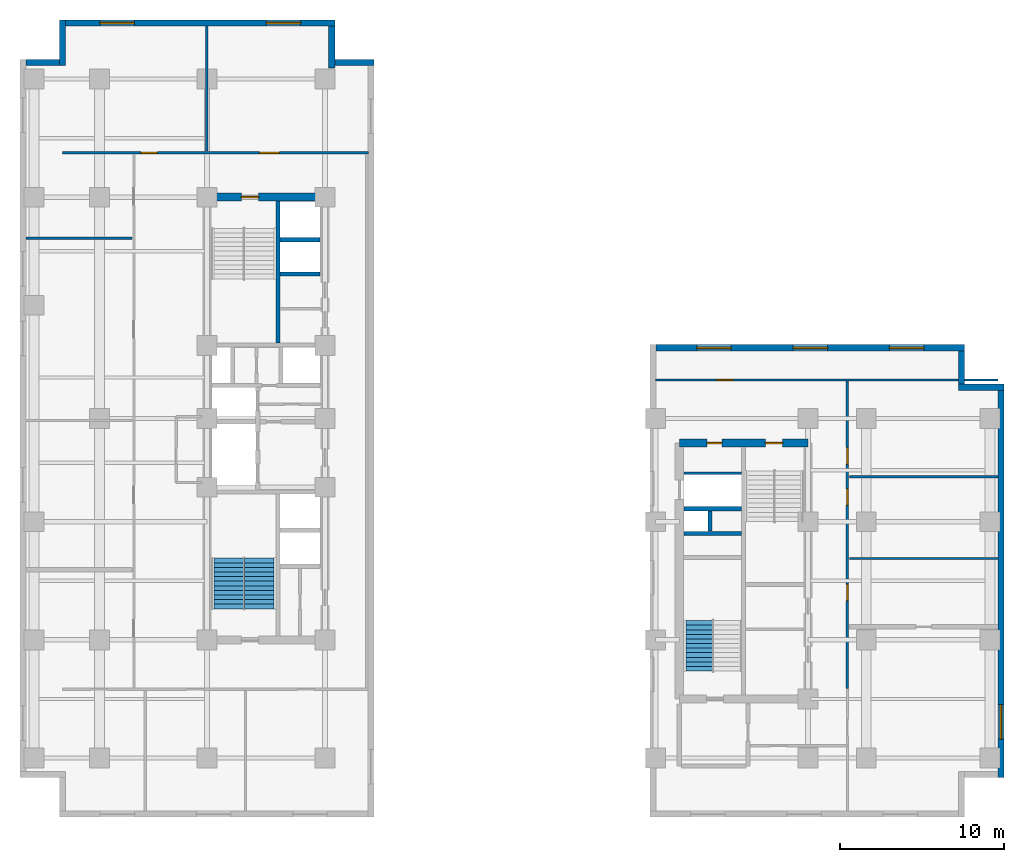
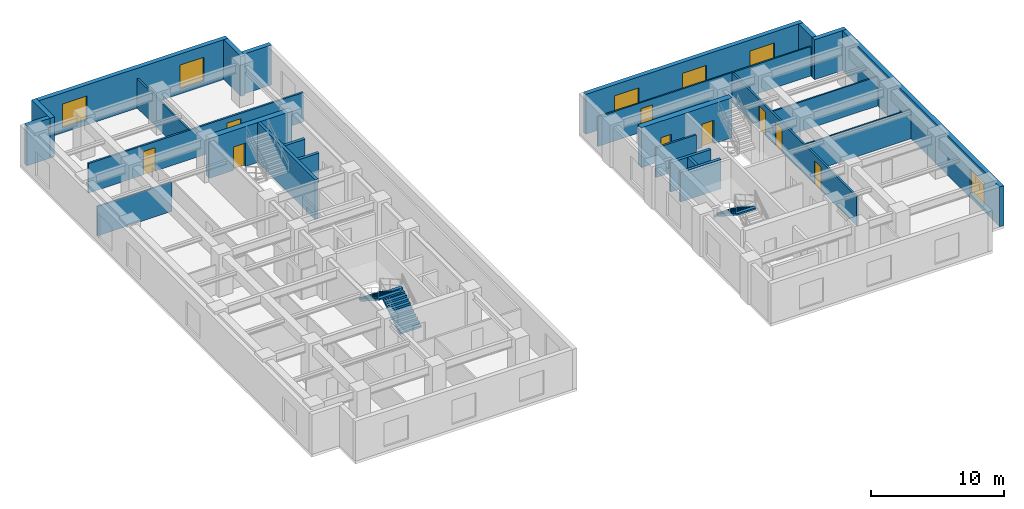
# One storey, part 5 of 9: 25 walls, 9 doors, 6 windows, 3 stair flights, 15 openings, 2 elements without a shape of their own.
"""IFC4 building model written with IfcOpenShell, lengths in metres."""

from ifc_helpers import new_model, entity, si_unit, converted_unit, direction, frame, origin_with_axes, origin_2d_with_axis, place, context, subcontext, project, spatial, polyline, rectangle, outline, extrude, material, layer, layer_set, type_object, element, fill, aggregate, save


model = new_model("IFC4")

# Units and contexts
model_context = context("Model", 3, precision=1e-05, world=origin_with_axes(), true_north=direction((0.0, 1.0)))
body_context = subcontext(model_context, "Body", "Model", "MODEL_VIEW")
ifc_project = project(units=[si_unit("LENGTHUNIT", "METRE"), si_unit("AREAUNIT", "SQUARE_METRE"), si_unit("VOLUMEUNIT", "CUBIC_METRE"), converted_unit("PLANEANGLEUNIT", "DEGREE", entity("IfcPlaneAngleMeasure", 0.017453292519943295), si_unit("PLANEANGLEUNIT", "RADIAN"), dimensions=[0, 0, 0, 0, 0, 0, 0]), si_unit("MASSUNIT", "GRAM", prefix="KILO"), si_unit("THERMODYNAMICTEMPERATUREUNIT", "KELVIN")], contexts=[model_context])

# Site, building, storey
site_placement = place(None, origin_with_axes())
site = spatial("IfcSite", under=ifc_project, at=site_placement, CompositionType="ELEMENT")
building_placement = place(site_placement, origin_with_axes())
building = spatial("IfcBuilding", under=site, at=building_placement, Name="Varnlund Millrace Tower", CompositionType="ELEMENT")
storey_placement = place(building_placement, frame((0.0, 0.0, 96.9), z_axis=(0.0, 0.0, 1.0), x_axis=(1.0, 0.0, 0.0)))
storey = spatial("IfcBuildingStorey", under=building, at=storey_placement, Name="L23", CompositionType="ELEMENT", Elevation=96.9)

# Wall, opening, door
ifc_material_1 = material(Name="Concrete C70/85", Category="concrete")
ifc_layer_1 = layer(ifc_material_1, 0.5, Name="Concrete C70/85")
ifc_layer_set_1 = layer_set([ifc_layer_1], Name="Concrete C70/85")
wall_type_1 = type_object("IfcWallType", Name="Type-CoreWall-Shear-500-C70", PredefinedType="SHEAR", material=ifc_layer_set_1)
wall_1_placement = place(storey_placement, frame((11.4, 37.8, 0.0), z_axis=(0.0, 0.0, 1.0), x_axis=(1.0, 0.0, 0.0)))
wall_1 = element("IfcWall", 1, at=wall_1_placement, inside=storey, type_object=wall_type_1, Name="Type-CoreWall-Shear-500-C70", PredefinedType="SHEAR", context=body_context, shape_type="SweptSolid", body=[
    extrude(outline(polyline([(0.0, -0.25), (7.2, -0.25), (7.2, 0.25), (0.0, 0.25), (0.0, -0.25)])), origin_with_axes(), (0.0, 0.0, 1.0), 3.66),
])
opening_1_placement = place(wall_1_placement, frame((2.625, 0.0, 0.0), z_axis=(0.0, 0.0, 1.0), x_axis=(1.0, 0.0, 0.0)))
opening_1 = element("IfcOpeningElement", 2, at=opening_1_placement, cuts=wall_1, Name="Opening L23:DR-STA2", PredefinedType="OPENING", context=body_context, shape_type="SweptSolid", body=[
    extrude(rectangle(XDim=1.05, YDim=0.52, at=origin_2d_with_axis()), origin_with_axes(), (0.0, 0.0, 1.0), 2.15),
])
ifc_material_2 = material(Name="Fire-rated hollow steel door", Category="steel")
door_type_1 = type_object("IfcDoorType", Name="Type-FireDoor-Stair-1050X2150", OperationType="NOTDEFINED", PredefinedType="DOOR", material=ifc_material_2)
door_1_placement = place(wall_1_placement, frame((2.625, 0.0, 0.0), z_axis=(0.0, 0.0, 1.0), x_axis=(1.0, 0.0, 0.0)))
door_1 = element("IfcDoor", 3, at=door_1_placement, inside=storey, type_object=door_type_1, Name="Type-FireDoor-Stair-1050X2150", OperationType="SINGLE_SWING_RIGHT", OverallHeight=2.15, OverallWidth=1.05, PredefinedType="DOOR", context=body_context, shape_type="SweptSolid", body=[
    extrude(rectangle(XDim=1.05, YDim=0.09, at=origin_2d_with_axis()), origin_with_axes(), (0.0, 0.0, 1.0), 2.15),
])
fill(opening_1, door_1)

# Wall, openings, doors
wall_2_placement = place(storey_placement, frame((40.2, 22.8, 0.0), z_axis=(0.0, 0.0, 1.0), x_axis=(1.0, 0.0, 0.0)))
wall_2 = element("IfcWall", 4, at=wall_2_placement, inside=storey, type_object=wall_type_1, Name="Type-CoreWall-Shear-500-C70", PredefinedType="SHEAR", context=body_context, shape_type="SweptSolid", body=[
    extrude(outline(polyline([(0.0, -0.25), (7.85, -0.25), (7.85, 0.25), (0.0, 0.25), (0.0, -0.25)])), origin_with_axes(), (0.0, 0.0, 1.0), 3.66),
])
opening_2_placement = place(wall_2_placement, frame((5.775, 0.0, 0.0), z_axis=(0.0, 0.0, 1.0), x_axis=(1.0, 0.0, 0.0)))
opening_2 = element("IfcOpeningElement", 5, at=opening_2_placement, cuts=wall_2, Name="Opening L23:DR-STB2", PredefinedType="OPENING", context=body_context, shape_type="SweptSolid", body=[
    extrude(rectangle(XDim=1.05, YDim=0.52, at=origin_2d_with_axis()), origin_with_axes(), (0.0, 0.0, 1.0), 2.15),
])
opening_3_placement = place(wall_2_placement, frame((2.15, 0.0, 0.0), z_axis=(0.0, 0.0, 1.0), x_axis=(1.0, 0.0, 0.0)))
opening_3 = element("IfcOpeningElement", 6, at=opening_3_placement, cuts=wall_2, Name="Opening L23:DR-CB-NW", PredefinedType="OPENING", context=body_context, shape_type="SweptSolid", body=[
    extrude(rectangle(XDim=0.9, YDim=0.52, at=origin_2d_with_axis()), origin_with_axes(), (0.0, 0.0, 1.0), 2.15),
])
ifc_material_3 = material(Name="Fire-rated hollow steel service closet door", Category="steel")
door_type_2 = type_object("IfcDoorType", Name="Type-FireDoor-Closet-900X2150", OperationType="NOTDEFINED", PredefinedType="DOOR", material=ifc_material_3)
door_2_placement = place(wall_2_placement, frame((2.15, 0.0, 0.0), z_axis=(0.0, 0.0, 1.0), x_axis=(1.0, 0.0, 0.0)))
door_2 = element("IfcDoor", 7, at=door_2_placement, inside=storey, type_object=door_type_2, Name="Type-FireDoor-Closet-900X2150", OperationType="SINGLE_SWING_LEFT", OverallHeight=2.15, OverallWidth=0.9, PredefinedType="DOOR", context=body_context, shape_type="SweptSolid", body=[
    extrude(rectangle(XDim=0.9, YDim=0.09, at=origin_2d_with_axis()), origin_with_axes(), (0.0, 0.0, 1.0), 2.15),
])
fill(opening_3, door_2)
door_3_placement = place(wall_2_placement, frame((5.775, 0.0, 0.0), z_axis=(0.0, 0.0, 1.0), x_axis=(1.0, 0.0, 0.0)))
door_3 = element("IfcDoor", 8, at=door_3_placement, inside=storey, type_object=door_type_1, Name="Type-FireDoor-Stair-1050X2150", OperationType="SINGLE_SWING_RIGHT", OverallHeight=2.15, OverallWidth=1.05, PredefinedType="DOOR", context=body_context, shape_type="SweptSolid", body=[
    extrude(rectangle(XDim=1.05, YDim=0.09, at=origin_2d_with_axis()), origin_with_axes(), (0.0, 0.0, 1.0), 2.15),
])
fill(opening_2, door_3)

# Walls
ifc_material_4 = material(Name="Precast concrete C50/60", Category="concrete")
ifc_layer_2 = layer(ifc_material_4, 0.38, Name="Precast concrete C50/60")
ifc_layer_set_2 = layer_set([ifc_layer_2], Name="Precast concrete C50/60")
wall_type_2 = type_object("IfcWallType", Name="Type-ExtWall-Precast-Tube-380", PredefinedType="SOLIDWALL", material=ifc_layer_set_2)
wall_3_placement = place(storey_placement, frame((0.38, 46.01, 0.0), z_axis=(0.0, 0.0, 1.0), x_axis=(1.0, 0.0, 0.0)))
element("IfcWall", 9, at=wall_3_placement, inside=storey, type_object=wall_type_2, Name="Type-ExtWall-Precast-Tube-380", PredefinedType="SOLIDWALL", context=body_context, shape_type="SweptSolid", body=[
    extrude(outline(polyline([(0.0, -0.19), (2.02, -0.19), (2.02, 0.19), (0.0, 0.19), (0.0, -0.19)])), origin_with_axes(), (0.0, 0.0, 1.0), 3.66),
])
wall_4_placement = place(storey_placement, frame((2.59, 45.82, 0.0), z_axis=(0.0, 0.0, 1.0), x_axis=(0.0, 1.0, 0.0)))
element("IfcWall", 10, at=wall_4_placement, inside=storey, type_object=wall_type_2, Name="Type-ExtWall-Precast-Tube-380", PredefinedType="SOLIDWALL", context=body_context, shape_type="SweptSolid", body=[
    extrude(outline(polyline([(0.0, -0.19), (2.78, -0.19), (2.78, 0.19), (0.0, 0.19), (0.0, -0.19)])), origin_with_axes(), (0.0, 0.0, 1.0), 3.66),
])

# Wall, openings, windows
wall_5_placement = place(storey_placement, frame((2.78, 48.41, 0.0), z_axis=(0.0, 0.0, 1.0), x_axis=(1.0, 0.0, 0.0)))
wall_5 = element("IfcWall", 11, at=wall_5_placement, inside=storey, type_object=wall_type_2, Name="Type-ExtWall-Precast-Tube-380", PredefinedType="SOLIDWALL", context=body_context, shape_type="SweptSolid", body=[
    extrude(outline(polyline([(0.0, -0.19), (16.42, -0.19), (16.42, 0.19), (0.0, 0.19), (0.0, -0.19)])), origin_with_axes(), (0.0, 0.0, 1.0), 3.66),
])
opening_4_placement = place(wall_5_placement, frame((3.137, 0.0, 0.45), z_axis=(0.0, 0.0, 1.0), x_axis=(1.0, 0.0, 0.0)))
opening_4 = element("IfcOpeningElement", 12, at=opening_4_placement, cuts=wall_5, Name="Opening L23:WN-06", PredefinedType="OPENING", context=body_context, shape_type="SweptSolid", body=[
    extrude(rectangle(XDim=2.1, YDim=0.4, at=origin_2d_with_axis()), origin_with_axes(), (0.0, 0.0, 1.0), 2.2),
])
opening_5_placement = place(wall_5_placement, frame((13.283, 0.0, 0.45), z_axis=(0.0, 0.0, 1.0), x_axis=(1.0, 0.0, 0.0)))
opening_5 = element("IfcOpeningElement", 13, at=opening_5_placement, cuts=wall_5, Name="Opening L23:WN-07", PredefinedType="OPENING", context=body_context, shape_type="SweptSolid", body=[
    extrude(rectangle(XDim=2.1, YDim=0.4, at=origin_2d_with_axis()), origin_with_axes(), (0.0, 0.0, 1.0), 2.2),
])
ifc_material_5 = material(Name="Argon low-e triple glazing in thermally broken bronze frame", Category="glass")
window_type = type_object("IfcWindowType", Name="Type-Window-Punched-2100X2200", PartitioningType="SINGLE_PANEL", PredefinedType="WINDOW", material=ifc_material_5)
window_1_placement = place(wall_5_placement, frame((3.137, 0.0, 0.45), z_axis=(0.0, 0.0, 1.0), x_axis=(1.0, 0.0, 0.0)))
window_1 = element("IfcWindow", 14, at=window_1_placement, inside=storey, type_object=window_type, Name="Type-Window-Punched-2100X2200", OverallHeight=2.2, OverallWidth=2.1, PredefinedType="WINDOW", context=body_context, shape_type="SweptSolid", body=[
    extrude(rectangle(XDim=2.1, YDim=0.09, at=origin_2d_with_axis()), origin_with_axes(), (0.0, 0.0, 1.0), 2.2),
])
fill(opening_4, window_1)
window_2_placement = place(wall_5_placement, frame((13.283, 0.0, 0.45), z_axis=(0.0, 0.0, 1.0), x_axis=(1.0, 0.0, 0.0)))
window_2 = element("IfcWindow", 15, at=window_2_placement, inside=storey, type_object=window_type, Name="Type-Window-Punched-2100X2200", OverallHeight=2.2, OverallWidth=2.1, PredefinedType="WINDOW", context=body_context, shape_type="SweptSolid", body=[
    extrude(rectangle(XDim=2.1, YDim=0.09, at=origin_2d_with_axis()), origin_with_axes(), (0.0, 0.0, 1.0), 2.2),
])
fill(opening_5, window_2)

# Walls
wall_6_placement = place(storey_placement, frame((19.01, 48.22, 0.0), z_axis=(0.0, 0.0, 1.0), x_axis=(0.0, -1.0, 0.0)))
element("IfcWall", 16, at=wall_6_placement, inside=storey, type_object=wall_type_2, Name="Type-ExtWall-Precast-Tube-380", PredefinedType="SOLIDWALL", context=body_context, shape_type="SweptSolid", body=[
    extrude(outline(polyline([(0.0, -0.19), (2.56, -0.19), (2.56, 0.19), (0.0, 0.19), (0.0, -0.19)])), origin_with_axes(), (0.0, 0.0, 1.0), 3.66),
])
wall_7_placement = place(storey_placement, frame((18.82, 46.01, 0.0), z_axis=(0.0, 0.0, 1.0), x_axis=(1.0, 0.0, 0.0)))
element("IfcWall", 17, at=wall_7_placement, inside=storey, type_object=wall_type_2, Name="Type-ExtWall-Precast-Tube-380", PredefinedType="SOLIDWALL", context=body_context, shape_type="SweptSolid", body=[
    extrude(outline(polyline([(0.0, -0.19), (2.78, -0.19), (2.78, 0.19), (0.0, 0.19), (0.0, -0.19)])), origin_with_axes(), (0.0, 0.0, 1.0), 3.66),
])

# Wall, openings, windows
wall_8_placement = place(storey_placement, frame((38.78, 28.61, 0.0), z_axis=(0.0, 0.0, 1.0), x_axis=(1.0, 0.0, 0.0)))
wall_8 = element("IfcWall", 18, at=wall_8_placement, inside=storey, type_object=wall_type_2, Name="Type-ExtWall-Precast-Tube-380", PredefinedType="SOLIDWALL", context=body_context, shape_type="SweptSolid", body=[
    extrude(outline(polyline([(0.0, -0.19), (18.82, -0.19), (18.82, 0.19), (0.0, 0.19), (0.0, -0.19)])), origin_with_axes(), (0.0, 0.0, 1.0), 3.66),
])
opening_6_placement = place(wall_8_placement, frame((3.537, 0.0, 0.45), z_axis=(0.0, 0.0, 1.0), x_axis=(1.0, 0.0, 0.0)))
opening_6 = element("IfcOpeningElement", 19, at=opening_6_placement, cuts=wall_8, Name="Opening L23:WN-13", PredefinedType="OPENING", context=body_context, shape_type="SweptSolid", body=[
    extrude(rectangle(XDim=2.1, YDim=0.4, at=origin_2d_with_axis()), origin_with_axes(), (0.0, 0.0, 1.0), 2.2),
])
opening_7_placement = place(wall_8_placement, frame((9.41, 0.0, 0.45), z_axis=(0.0, 0.0, 1.0), x_axis=(1.0, 0.0, 0.0)))
opening_7 = element("IfcOpeningElement", 20, at=opening_7_placement, cuts=wall_8, Name="Opening L23:WN-14", PredefinedType="OPENING", context=body_context, shape_type="SweptSolid", body=[
    extrude(rectangle(XDim=2.1, YDim=0.4, at=origin_2d_with_axis()), origin_with_axes(), (0.0, 0.0, 1.0), 2.2),
])
opening_8_placement = place(wall_8_placement, frame((15.283, 0.0, 0.45), z_axis=(0.0, 0.0, 1.0), x_axis=(1.0, 0.0, 0.0)))
opening_8 = element("IfcOpeningElement", 21, at=opening_8_placement, cuts=wall_8, Name="Opening L23:WN-15", PredefinedType="OPENING", context=body_context, shape_type="SweptSolid", body=[
    extrude(rectangle(XDim=2.1, YDim=0.4, at=origin_2d_with_axis()), origin_with_axes(), (0.0, 0.0, 1.0), 2.2),
])
window_3_placement = place(wall_8_placement, frame((3.537, 0.0, 0.45), z_axis=(0.0, 0.0, 1.0), x_axis=(1.0, 0.0, 0.0)))
window_3 = element("IfcWindow", 22, at=window_3_placement, inside=storey, type_object=window_type, Name="Type-Window-Punched-2100X2200", OverallHeight=2.2, OverallWidth=2.1, PredefinedType="WINDOW", context=body_context, shape_type="SweptSolid", body=[
    extrude(rectangle(XDim=2.1, YDim=0.09, at=origin_2d_with_axis()), origin_with_axes(), (0.0, 0.0, 1.0), 2.2),
])
fill(opening_6, window_3)
window_4_placement = place(wall_8_placement, frame((9.41, 0.0, 0.45), z_axis=(0.0, 0.0, 1.0), x_axis=(1.0, 0.0, 0.0)))
window_4 = element("IfcWindow", 23, at=window_4_placement, inside=storey, type_object=window_type, Name="Type-Window-Punched-2100X2200", OverallHeight=2.2, OverallWidth=2.1, PredefinedType="WINDOW", context=body_context, shape_type="SweptSolid", body=[
    extrude(rectangle(XDim=2.1, YDim=0.09, at=origin_2d_with_axis()), origin_with_axes(), (0.0, 0.0, 1.0), 2.2),
])
fill(opening_7, window_4)
window_5_placement = place(wall_8_placement, frame((15.283, 0.0, 0.45), z_axis=(0.0, 0.0, 1.0), x_axis=(1.0, 0.0, 0.0)))
window_5 = element("IfcWindow", 24, at=window_5_placement, inside=storey, type_object=window_type, Name="Type-Window-Punched-2100X2200", OverallHeight=2.2, OverallWidth=2.1, PredefinedType="WINDOW", context=body_context, shape_type="SweptSolid", body=[
    extrude(rectangle(XDim=2.1, YDim=0.09, at=origin_2d_with_axis()), origin_with_axes(), (0.0, 0.0, 1.0), 2.2),
])
fill(opening_8, window_5)

# Walls
wall_9_placement = place(storey_placement, frame((57.41, 28.42, 0.0), z_axis=(0.0, 0.0, 1.0), x_axis=(0.0, -1.0, 0.0)))
element("IfcWall", 25, at=wall_9_placement, inside=storey, type_object=wall_type_2, Name="Type-ExtWall-Precast-Tube-380", PredefinedType="SOLIDWALL", context=body_context, shape_type="SweptSolid", body=[
    extrude(outline(polyline([(0.0, -0.19), (2.02, -0.19), (2.02, 0.19), (0.0, 0.19), (0.0, -0.19)])), origin_with_axes(), (0.0, 0.0, 1.0), 3.66),
])
wall_10_placement = place(storey_placement, frame((57.22, 26.21, 0.0), z_axis=(0.0, 0.0, 1.0), x_axis=(1.0, 0.0, 0.0)))
element("IfcWall", 26, at=wall_10_placement, inside=storey, type_object=wall_type_2, Name="Type-ExtWall-Precast-Tube-380", PredefinedType="SOLIDWALL", context=body_context, shape_type="SweptSolid", body=[
    extrude(outline(polyline([(0.0, -0.19), (2.78, -0.19), (2.78, 0.19), (0.0, 0.19), (0.0, -0.19)])), origin_with_axes(), (0.0, 0.0, 1.0), 3.66),
])

# Wall, opening, window
wall_11_placement = place(storey_placement, frame((59.81, 26.02, 0.0), z_axis=(0.0, 0.0, 1.0), x_axis=(0.0, -1.0, 0.0)))
wall_11 = element("IfcWall", 27, at=wall_11_placement, inside=storey, type_object=wall_type_2, Name="Type-ExtWall-Precast-Tube-380", PredefinedType="SOLIDWALL", context=body_context, shape_type="SweptSolid", body=[
    extrude(outline(polyline([(0.0, -0.19), (23.62, -0.19), (23.62, 0.19), (0.0, 0.19), (0.0, -0.19)])), origin_with_axes(), (0.0, 0.0, 1.0), 3.66),
])
opening_9_placement = place(wall_11_placement, frame((20.218, 0.0, 0.45), z_axis=(0.0, 0.0, 1.0), x_axis=(1.0, 0.0, 0.0)))
opening_9 = element("IfcOpeningElement", 28, at=opening_9_placement, cuts=wall_11, Name="Opening L23:WN-16", PredefinedType="OPENING", context=body_context, shape_type="SweptSolid", body=[
    extrude(rectangle(XDim=2.1, YDim=0.4, at=origin_2d_with_axis()), origin_with_axes(), (0.0, 0.0, 1.0), 2.2),
])
window_6_placement = place(wall_11_placement, frame((20.218, 0.0, 0.45), z_axis=(0.0, 0.0, 1.0), x_axis=(1.0, 0.0, 0.0)))
window_6 = element("IfcWindow", 29, at=window_6_placement, inside=storey, type_object=window_type, Name="Type-Window-Punched-2100X2200", OverallHeight=2.2, OverallWidth=2.1, PredefinedType="WINDOW", context=body_context, shape_type="SweptSolid", body=[
    extrude(rectangle(XDim=2.1, YDim=0.09, at=origin_2d_with_axis()), origin_with_axes(), (0.0, 0.0, 1.0), 2.2),
])
fill(opening_9, window_6)

# Wall
ifc_material_6 = material(Name="Fire-rated gypsum board on cold-formed steel framing", Category="steel")
ifc_layer_3 = layer(ifc_material_6, 0.16, Name="Fire-rated gypsum board on cold-formed steel framing")
ifc_layer_set_3 = layer_set([ifc_layer_3], Name="Fire-rated gypsum board on cold-formed steel framing")
wall_type_3 = type_object("IfcWallType", Name="Type-Partition-Corridor-160", PredefinedType="PARTITIONING", material=ifc_layer_set_3)
wall_12_placement = place(storey_placement, frame((40.5, 20.96, 0.0), z_axis=(0.0, 0.0, 1.0), x_axis=(1.0, 0.0, 0.0)))
element("IfcWall", 30, at=wall_12_placement, inside=storey, type_object=wall_type_3, Name="Type-Partition-Corridor-160", PredefinedType="PARTITIONING", context=body_context, shape_type="SweptSolid", body=[
    extrude(outline(polyline([(0.0, -0.08), (3.5, -0.08), (3.5, 0.08), (0.0, 0.08), (0.0, -0.08)])), origin_with_axes(), (0.0, 0.0, 1.0), 2.7),
])

# Wall, openings, doors
wall_13_placement = place(storey_placement, frame((2.6, 40.5, 0.0), z_axis=(0.0, 0.0, 1.0), x_axis=(1.0, 0.0, 0.0)))
wall_13 = element("IfcWall", 31, at=wall_13_placement, inside=storey, type_object=wall_type_3, Name="Type-Partition-Corridor-160", PredefinedType="PARTITIONING", context=body_context, shape_type="SweptSolid", body=[
    extrude(outline(polyline([(0.0, -0.08), (18.65, -0.08), (18.65, 0.08), (0.0, 0.08), (0.0, -0.08)])), origin_with_axes(), (0.0, 0.0, 1.0), 2.7),
])
opening_10_placement = place(wall_13_placement, frame((5.275, 0.0, 0.0), z_axis=(0.0, 0.0, 1.0), x_axis=(1.0, 0.0, 0.0)))
opening_10 = element("IfcOpeningElement", 32, at=opening_10_placement, cuts=wall_13, Name="Opening L23:DR-WAN-01", PredefinedType="OPENING", context=body_context, shape_type="SweptSolid", body=[
    extrude(rectangle(XDim=1.0, YDim=0.18, at=origin_2d_with_axis()), origin_with_axes(), (0.0, 0.0, 1.0), 2.15),
])
opening_11_placement = place(wall_13_placement, frame((12.61, 0.0, 0.0), z_axis=(0.0, 0.0, 1.0), x_axis=(1.0, 0.0, 0.0)))
opening_11 = element("IfcOpeningElement", 33, at=opening_11_placement, cuts=wall_13, Name="Opening L23:DR-WAN-02", PredefinedType="OPENING", context=body_context, shape_type="SweptSolid", body=[
    extrude(rectangle(XDim=1.2, YDim=0.18, at=origin_2d_with_axis()), origin_with_axes(), (0.0, 0.0, 1.0), 2.2),
])
ifc_material_7 = material(Name="Wide executive white oak acoustic door")
door_type_3 = type_object("IfcDoorType", Name="Type-IntDoor-Exec-1200X2200", OperationType="NOTDEFINED", PredefinedType="DOOR", material=ifc_material_7)
door_4_placement = place(wall_13_placement, frame((12.61, 0.0, 0.0), z_axis=(0.0, 0.0, 1.0), x_axis=(1.0, 0.0, 0.0)))
door_4 = element("IfcDoor", 34, at=door_4_placement, inside=storey, type_object=door_type_3, Name="Type-IntDoor-Exec-1200X2200", OperationType="SINGLE_SWING_RIGHT", OverallHeight=2.2, OverallWidth=1.2, PredefinedType="DOOR", context=body_context, shape_type="SweptSolid", body=[
    extrude(rectangle(XDim=1.2, YDim=0.09, at=origin_2d_with_axis()), origin_with_axes(), (0.0, 0.0, 1.0), 2.2),
])
fill(opening_11, door_4)
ifc_material_8 = material(Name="Solid-core white oak and bronze frame door")
door_type_4 = type_object("IfcDoorType", Name="Type-IntDoor-Office-1000X2150", OperationType="NOTDEFINED", PredefinedType="DOOR", material=ifc_material_8)
door_5_placement = place(wall_13_placement, frame((5.275, 0.0, 0.0), z_axis=(0.0, 0.0, 1.0), x_axis=(1.0, 0.0, 0.0)))
door_5 = element("IfcDoor", 35, at=door_5_placement, inside=storey, type_object=door_type_4, Name="Type-IntDoor-Office-1000X2150", OperationType="SINGLE_SWING_LEFT", OverallHeight=2.15, OverallWidth=1.0, PredefinedType="DOOR", context=body_context, shape_type="SweptSolid", body=[
    extrude(rectangle(XDim=1.0, YDim=0.09, at=origin_2d_with_axis()), origin_with_axes(), (0.0, 0.0, 1.0), 2.15),
])
fill(opening_10, door_5)

wall_14_placement = place(storey_placement, frame((50.45, 7.85, 0.0), z_axis=(0.0, 0.0, 1.0), x_axis=(0.0, 1.0, 0.0)))
wall_14 = element("IfcWall", 36, at=wall_14_placement, inside=storey, type_object=wall_type_3, Name="Type-Partition-Corridor-160", PredefinedType="PARTITIONING", context=body_context, shape_type="SweptSolid", body=[
    extrude(outline(polyline([(0.0, -0.08), (18.8, -0.08), (18.8, 0.08), (0.0, 0.08), (0.0, -0.08)])), origin_with_axes(), (0.0, 0.0, 1.0), 2.7),
])
opening_12_placement = place(wall_14_placement, frame((5.84, 0.0, 0.0), z_axis=(0.0, 0.0, 1.0), x_axis=(1.0, 0.0, 0.0)))
opening_12 = element("IfcOpeningElement", 37, at=opening_12_placement, cuts=wall_14, Name="Opening L23:DR-WB-02", PredefinedType="OPENING", context=body_context, shape_type="SweptSolid", body=[
    extrude(rectangle(XDim=1.0, YDim=0.18, at=origin_2d_with_axis()), origin_with_axes(), (0.0, 0.0, 1.0), 2.15),
])
opening_13_placement = place(wall_14_placement, frame((11.663, 0.0, 0.0), z_axis=(0.0, 0.0, 1.0), x_axis=(1.0, 0.0, 0.0)))
opening_13 = element("IfcOpeningElement", 38, at=opening_13_placement, cuts=wall_14, Name="Opening L23:DR-WB-03", PredefinedType="OPENING", context=body_context, shape_type="SweptSolid", body=[
    extrude(rectangle(XDim=1.0, YDim=0.18, at=origin_2d_with_axis()), origin_with_axes(), (0.0, 0.0, 1.0), 2.15),
])
opening_14_placement = place(wall_14_placement, frame((14.169, 0.0, 0.0), z_axis=(0.0, 0.0, 1.0), x_axis=(1.0, 0.0, 0.0)))
opening_14 = element("IfcOpeningElement", 39, at=opening_14_placement, cuts=wall_14, Name="Opening L23:DR-WB-04", PredefinedType="OPENING", context=body_context, shape_type="SweptSolid", body=[
    extrude(rectangle(XDim=1.0, YDim=0.18, at=origin_2d_with_axis()), origin_with_axes(), (0.0, 0.0, 1.0), 2.15),
])
door_6_placement = place(wall_14_placement, frame((5.84, 0.0, 0.0), z_axis=(0.0, 0.0, 1.0), x_axis=(1.0, 0.0, 0.0)))
door_6 = element("IfcDoor", 40, at=door_6_placement, inside=storey, type_object=door_type_4, Name="Type-IntDoor-Office-1000X2150", OperationType="SINGLE_SWING_RIGHT", OverallHeight=2.15, OverallWidth=1.0, PredefinedType="DOOR", context=body_context, shape_type="SweptSolid", body=[
    extrude(rectangle(XDim=1.0, YDim=0.09, at=origin_2d_with_axis()), origin_with_axes(), (0.0, 0.0, 1.0), 2.15),
])
fill(opening_12, door_6)
door_7_placement = place(wall_14_placement, frame((11.663, 0.0, 0.0), z_axis=(0.0, 0.0, 1.0), x_axis=(1.0, 0.0, 0.0)))
door_7 = element("IfcDoor", 41, at=door_7_placement, inside=storey, type_object=door_type_4, Name="Type-IntDoor-Office-1000X2150", OperationType="SINGLE_SWING_LEFT", OverallHeight=2.15, OverallWidth=1.0, PredefinedType="DOOR", context=body_context, shape_type="SweptSolid", body=[
    extrude(rectangle(XDim=1.0, YDim=0.09, at=origin_2d_with_axis()), origin_with_axes(), (0.0, 0.0, 1.0), 2.15),
])
fill(opening_13, door_7)
door_8_placement = place(wall_14_placement, frame((14.169, 0.0, 0.0), z_axis=(0.0, 0.0, 1.0), x_axis=(1.0, 0.0, 0.0)))
door_8 = element("IfcDoor", 42, at=door_8_placement, inside=storey, type_object=door_type_4, Name="Type-IntDoor-Office-1000X2150", OperationType="SINGLE_SWING_RIGHT", OverallHeight=2.15, OverallWidth=1.0, PredefinedType="DOOR", context=body_context, shape_type="SweptSolid", body=[
    extrude(rectangle(XDim=1.0, YDim=0.09, at=origin_2d_with_axis()), origin_with_axes(), (0.0, 0.0, 1.0), 2.15),
])
fill(opening_14, door_8)

# Walls
ifc_material_9 = material(Name="Acoustic STC-50 gypsum board partition", Category="gypsum")
ifc_layer_4 = layer(ifc_material_9, 0.15, Name="Acoustic STC-50 gypsum board partition")
ifc_layer_set_4 = layer_set([ifc_layer_4], Name="Acoustic STC-50 gypsum board partition")
wall_type_4 = type_object("IfcWallType", Name="Type-Partition-Demising-150", PredefinedType="PARTITIONING", material=ifc_layer_set_4)
wall_15_placement = place(storey_placement, frame((11.4, 40.6, 0.0), z_axis=(0.0, 0.0, 1.0), x_axis=(0.0, 1.0, 0.0)))
element("IfcWall", 43, at=wall_15_placement, inside=storey, type_object=wall_type_4, Name="Type-Partition-Demising-150", PredefinedType="PARTITIONING", context=body_context, shape_type="SweptSolid", body=[
    extrude(outline(polyline([(0.0, -0.075), (7.64, -0.075), (7.64, 0.075), (0.0, 0.075), (0.0, -0.075)])), origin_with_axes(), (0.0, 0.0, 1.0), 2.7),
])
ifc_material_10 = material(Name="Gypsum board tenant partition", Category="gypsum")
ifc_layer_5 = layer(ifc_material_10, 0.125, Name="Gypsum board tenant partition")
ifc_layer_set_5 = layer_set([ifc_layer_5], Name="Gypsum board tenant partition")
wall_type_5 = type_object("IfcWallType", Name="Type-Partition-Tenant-125", PredefinedType="PARTITIONING", material=ifc_layer_set_5)
wall_16_placement = place(storey_placement, frame((0.375, 35.291, 0.0), z_axis=(0.0, 0.0, 1.0), x_axis=(1.0, 0.0, 0.0)))
element("IfcWall", 44, at=wall_16_placement, inside=storey, type_object=wall_type_5, Name="Type-Partition-Tenant-125", PredefinedType="PARTITIONING", context=body_context, shape_type="SweptSolid", body=[
    extrude(outline(polyline([(0.0, -0.0625), (6.455, -0.0625), (6.455, 0.0625), (0.0, 0.0625), (0.0, -0.0625)])), origin_with_axes(), (0.0, 0.0, 1.0), 2.7),
])

# Wall, opening, door
wall_17_placement = place(storey_placement, frame((38.76, 26.65, 0.0), z_axis=(0.0, 0.0, 1.0), x_axis=(1.0, 0.0, 0.0)))
wall_17 = element("IfcWall", 45, at=wall_17_placement, inside=storey, type_object=wall_type_5, Name="Type-Partition-Tenant-125", PredefinedType="PARTITIONING", context=body_context, shape_type="SweptSolid", body=[
    extrude(outline(polyline([(0.0, -0.0625), (20.88, -0.0625), (20.88, 0.0625), (0.0, 0.0625), (0.0, -0.0625)])), origin_with_axes(), (0.0, 0.0, 1.0), 2.7),
])
opening_15_placement = place(wall_17_placement, frame((4.24, 0.0, 0.0), z_axis=(0.0, 0.0, 1.0), x_axis=(1.0, 0.0, 0.0)))
opening_15 = element("IfcOpeningElement", 46, at=opening_15_placement, cuts=wall_17, Name="Opening L23:DR-WBN-01", PredefinedType="OPENING", context=body_context, shape_type="SweptSolid", body=[
    extrude(rectangle(XDim=1.0, YDim=0.145, at=origin_2d_with_axis()), origin_with_axes(), (0.0, 0.0, 1.0), 2.15),
])
door_9_placement = place(wall_17_placement, frame((4.24, 0.0, 0.0), z_axis=(0.0, 0.0, 1.0), x_axis=(1.0, 0.0, 0.0)))
door_9 = element("IfcDoor", 47, at=door_9_placement, inside=storey, type_object=door_type_4, Name="Type-IntDoor-Office-1000X2150", OperationType="SINGLE_SWING_RIGHT", OverallHeight=2.15, OverallWidth=1.0, PredefinedType="DOOR", context=body_context, shape_type="SweptSolid", body=[
    extrude(rectangle(XDim=1.0, YDim=0.075, at=origin_2d_with_axis()), origin_with_axes(), (0.0, 0.0, 1.0), 2.15),
])
fill(opening_15, door_9)

# Walls
for number, where, z_axis, x_axis, name in (
    (48, (50.57, 15.777, 0.0), (0.0, 0.0, 1.0), (1.0, 0.0, 0.0), "Type-Partition-Tenant-125"),
    (49, (50.57, 20.748, 0.0), (0.0, 0.0, 1.0), (1.0, 0.0, 0.0), "Type-Partition-Tenant-125"),
):
    element("IfcWall", number, at=place(storey_placement, frame(where, z_axis=z_axis, x_axis=x_axis)), inside=storey, type_object=wall_type_5, Name=name, PredefinedType="PARTITIONING", context=body_context, shape_type="SweptSolid", body=[
        extrude(outline(polyline([(0.0, -0.0625), (9.055, -0.0625), (9.055, 0.0625), (0.0, 0.0625), (0.0, -0.0625)])), origin_with_axes(), (0.0, 0.0, 1.0), 2.7),
    ])
ifc_material_11 = material(Name="Concrete C60/75", Category="concrete")
ifc_layer_6 = layer(ifc_material_11, 0.25, Name="Concrete C60/75")
ifc_layer_set_6 = layer_set([ifc_layer_6], Name="Concrete C60/75")
wall_type_6 = type_object("IfcWallType", Name="Type-ShaftWall-Fire-250", PredefinedType="SOLIDWALL", material=ifc_layer_set_6)
for number, where, z_axis, x_axis, name in (
    (50, (40.5, 17.3, 0.0), (0.0, 0.0, 1.0), (1.0, 0.0, 0.0), "Type-ShaftWall-Fire-250"),
    (51, (40.5, 18.8, 0.0), (0.0, 0.0, 1.0), (1.0, 0.0, 0.0), "Type-ShaftWall-Fire-250"),
):
    element("IfcWall", number, at=place(storey_placement, frame(where, z_axis=z_axis, x_axis=x_axis)), inside=storey, type_object=wall_type_6, Name=name, PredefinedType="SOLIDWALL", context=body_context, shape_type="SweptSolid", body=[
        extrude(outline(polyline([(0.0, -0.125), (3.5, -0.125), (3.5, 0.125), (0.0, 0.125), (0.0, -0.125)])), origin_with_axes(), (0.0, 0.0, 1.0), 2.7),
    ])
wall_18_placement = place(storey_placement, frame((42.075, 17.43, 0.0), z_axis=(0.0, 0.0, 1.0), x_axis=(0.0, 1.0, 0.0)))
element("IfcWall", 52, at=wall_18_placement, inside=storey, type_object=wall_type_6, Name="Type-ShaftWall-Fire-250", PredefinedType="SOLIDWALL", context=body_context, shape_type="SweptSolid", body=[
    extrude(outline(polyline([(0.0, -0.125), (1.24, -0.125), (1.24, 0.125), (0.0, 0.125), (0.0, -0.125)])), origin_with_axes(), (0.0, 0.0, 1.0), 2.7),
])
for number, where, z_axis, x_axis, name in (
    (53, (15.84, 33.1, 0.0), (0.0, 0.0, 1.0), (1.0, 0.0, 0.0), "Type-ShaftWall-Fire-250"),
    (54, (15.84, 35.2, 0.0), (0.0, 0.0, 1.0), (1.0, 0.0, 0.0), "Type-ShaftWall-Fire-250"),
):
    element("IfcWall", number, at=place(storey_placement, frame(where, z_axis=z_axis, x_axis=x_axis)), inside=storey, type_object=wall_type_6, Name=name, PredefinedType="SOLIDWALL", context=body_context, shape_type="SweptSolid", body=[
        extrude(outline(polyline([(0.0, -0.125), (2.46, -0.125), (2.46, 0.125), (0.0, 0.125), (0.0, -0.125)])), origin_with_axes(), (0.0, 0.0, 1.0), 2.7),
    ])
wall_type_7 = type_object("IfcWallType", Name="Type-StairWall-Shear-250", PredefinedType="SHEAR", material=ifc_layer_set_6)
wall_19_placement = place(storey_placement, frame((15.725, 28.9, 0.0), z_axis=(0.0, 0.0, 1.0), x_axis=(0.0, 1.0, 0.0)))
element("IfcWall", 55, at=wall_19_placement, inside=storey, type_object=wall_type_7, Name="Type-StairWall-Shear-250", PredefinedType="SHEAR", context=body_context, shape_type="SweptSolid", body=[
    extrude(outline(polyline([(0.0, -0.125), (8.65, -0.125), (8.65, 0.125), (0.0, 0.125), (0.0, -0.125)])), origin_with_axes(), (0.0, 0.0, 1.0), 3.66),
])

# Stair, stair flight
ifc_material_12 = material(Name="Concrete C50/60", Category="concrete")
stair_type_1 = type_object("IfcStairType", Name="Type-Stair-Dogleg-165-390", PredefinedType="HALF_TURN_STAIR", material=ifc_material_12)
stair_1_placement = place(storey_placement, origin_with_axes())
stair_1 = element("IfcStair", 56, at=stair_1_placement, inside=storey, type_object=stair_type_1, Name="Type-Stair-Dogleg-165-390", PredefinedType="HALF_TURN_STAIR")
stair_flight_type_1 = type_object("IfcStairFlightType", Name="Type-Dogleg-Run-165-390", PredefinedType="STRAIGHT", material=ifc_material_4)
stair_flight_1_placement = place(storey_placement, frame((42.275, 11.98, 1.95), z_axis=(-1.0, 0.0, 0.0), x_axis=(0.0, -1.0, 0.0)))
stair_flight_1 = element("IfcStairFlight", 57, at=stair_flight_1_placement, type_object=stair_flight_type_1, Name="ST-B1 flight 2", NumberOfRisers=11, NumberOfTreads=11, PredefinedType="STRAIGHT", RiserHeight=0.177273, TreadLength=0.28, context=body_context, shape_type="SweptSolid", body=[
    extrude(outline(polyline([(0.0, 0.0), (0.0, 0.177273), (0.28, 0.177273), (0.28, 0.354545), (0.56, 0.354545), (0.56, 0.531818), (0.84, 0.531818), (0.84, 0.709091), (1.12, 0.709091), (1.12, 0.886364), (1.4, 0.886364), (1.4, 1.063636), (1.68, 1.063636), (1.68, 1.240909), (1.96, 1.240909), (1.96, 1.418182), (2.24, 1.418182), (2.24, 1.595454), (2.52, 1.595454), (2.52, 1.772727), (2.8, 1.772727), (2.8, 1.95), (3.08, 1.95), (3.08, 1.8), (0.28, 0.0), (0.0, 0.0)])), origin_with_axes(), (0.0, 0.0, 1.0), 1.65),
])
aggregate(stair_1, [stair_flight_1])

# Stair, stair flights
stair_type_2 = type_object("IfcStairType", Name="Type-Stair-Dogleg-185-390", PredefinedType="HALF_TURN_STAIR", material=ifc_material_12)
stair_2_placement = place(storey_placement, origin_with_axes())
stair_2 = element("IfcStair", 58, at=stair_2_placement, inside=storey, type_object=stair_type_2, Name="Type-Stair-Dogleg-185-390", PredefinedType="HALF_TURN_STAIR")
stair_flight_type_2 = type_object("IfcStairFlightType", Name="Type-Dogleg-Run-185-390", PredefinedType="STRAIGHT", material=ifc_material_4)
stair_flight_2_placement = place(storey_placement, frame((13.625, 12.7, 0.0), z_axis=(1.0, 0.0, 0.0), x_axis=(0.0, 1.0, 0.0)))
stair_flight_2 = element("IfcStairFlight", 59, at=stair_flight_2_placement, type_object=stair_flight_type_2, Name="ST-A1 flight 1", NumberOfRisers=11, NumberOfTreads=11, PredefinedType="STRAIGHT", RiserHeight=0.177273, TreadLength=0.28, context=body_context, shape_type="SweptSolid", body=[
    extrude(outline(polyline([(0.0, 0.0), (0.0, 0.177273), (0.28, 0.177273), (0.28, 0.354545), (0.56, 0.354545), (0.56, 0.531818), (0.84, 0.531818), (0.84, 0.709091), (1.12, 0.709091), (1.12, 0.886364), (1.4, 0.886364), (1.4, 1.063636), (1.68, 1.063636), (1.68, 1.240909), (1.96, 1.240909), (1.96, 1.418182), (2.24, 1.418182), (2.24, 1.595454), (2.52, 1.595454), (2.52, 1.772727), (2.8, 1.772727), (2.8, 1.95), (3.08, 1.95), (3.08, 1.8), (0.28, 0.0), (0.0, 0.0)])), origin_with_axes(), (0.0, 0.0, 1.0), 1.85),
])
stair_flight_3_placement = place(storey_placement, frame((13.675, 15.78, 1.95), z_axis=(-1.0, 0.0, 0.0), x_axis=(0.0, -1.0, 0.0)))
stair_flight_3 = element("IfcStairFlight", 60, at=stair_flight_3_placement, type_object=stair_flight_type_2, Name="ST-A1 flight 2", NumberOfRisers=11, NumberOfTreads=11, PredefinedType="STRAIGHT", RiserHeight=0.177273, TreadLength=0.28, context=body_context, shape_type="SweptSolid", body=[
    extrude(outline(polyline([(0.0, 0.0), (0.0, 0.177273), (0.28, 0.177273), (0.28, 0.354545), (0.56, 0.354545), (0.56, 0.531818), (0.84, 0.531818), (0.84, 0.709091), (1.12, 0.709091), (1.12, 0.886364), (1.4, 0.886364), (1.4, 1.063636), (1.68, 1.063636), (1.68, 1.240909), (1.96, 1.240909), (1.96, 1.418182), (2.24, 1.418182), (2.24, 1.595454), (2.52, 1.595454), (2.52, 1.772727), (2.8, 1.772727), (2.8, 1.95), (3.08, 1.95), (3.08, 1.8), (0.28, 0.0), (0.0, 0.0)])), origin_with_axes(), (0.0, 0.0, 1.0), 1.85),
])
aggregate(stair_2, [stair_flight_2, stair_flight_3])

save(model, "model.ifc")
